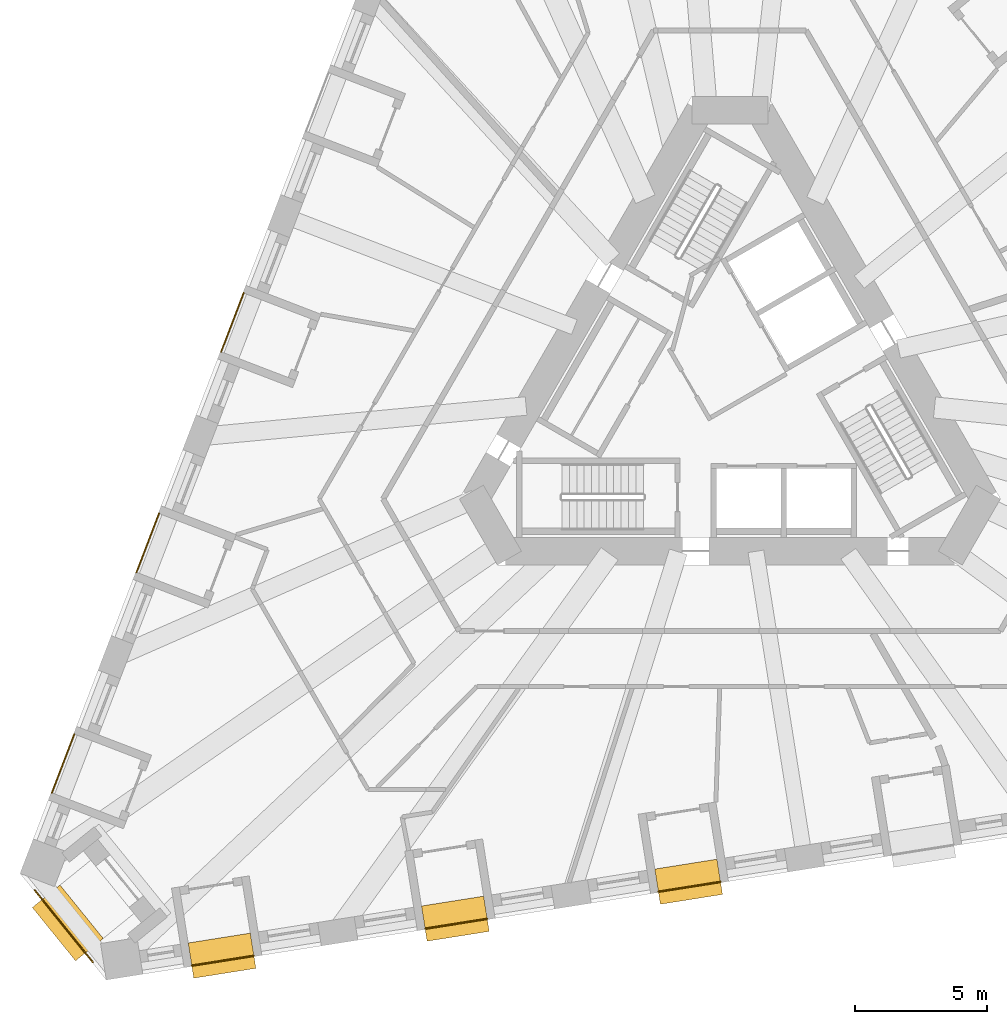
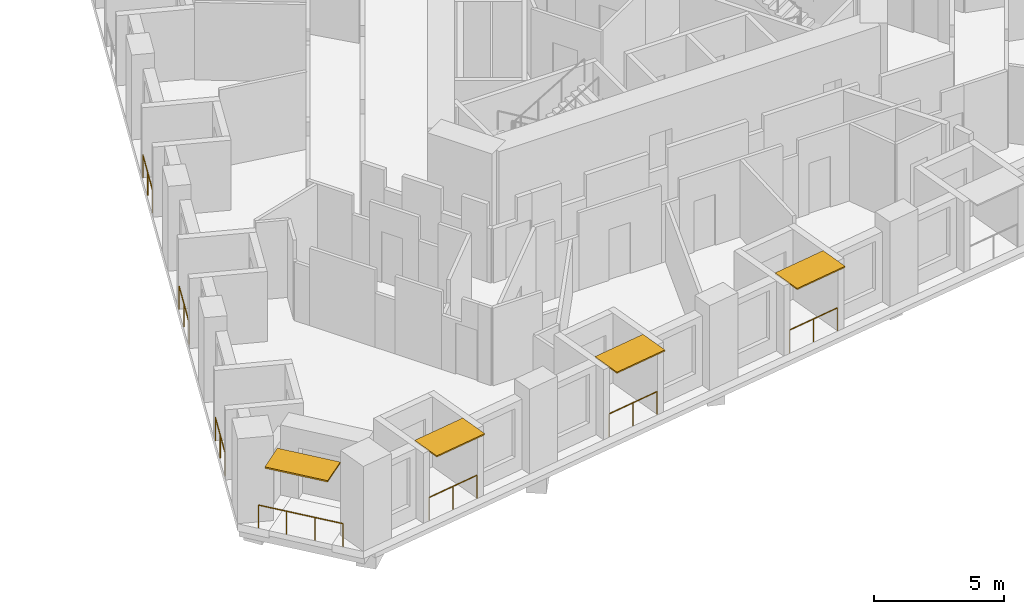
# One storey, part 11 of 14: 7 railings, 4 shading devices.
"""IFC4 building model written with IfcOpenShell, lengths in metres."""

from ifc_helpers import new_model, si_unit, direction, frame, origin, origin_2d, place, context, subcontext, project, spatial, rectangle, circle, extrude, material, layer, layer_set, type_object, element, save


model = new_model("IFC4")

# Units and contexts
model_context = context("Model", 3, precision=1e-05, world=origin(), true_north=direction((0.0, 1.0)))
body_context = subcontext(model_context, "Body", "Model", "MODEL_VIEW")
ifc_project = project(units=[si_unit("LENGTHUNIT", "METRE"), si_unit("AREAUNIT", "SQUARE_METRE"), si_unit("VOLUMEUNIT", "CUBIC_METRE"), si_unit("PLANEANGLEUNIT", "RADIAN"), si_unit("MASSUNIT", "GRAM", prefix="KILO")], contexts=[model_context])

# Site, building, storey
site_placement = place(None, origin())
site = spatial("IfcSite", under=ifc_project, at=site_placement, CompositionType="ELEMENT")
building_placement = place(site_placement, origin())
building = spatial("IfcBuilding", under=site, at=building_placement, Name="Tramontana Tower", CompositionType="ELEMENT")
storey_placement = place(building_placement, frame((0.0, 0.0, 79.199951171875)))
storey = spatial("IfcBuildingStorey", under=building, at=storey_placement, Name="L17", CompositionType="ELEMENT", Elevation=79.199951171875)

# Railings
ifc_material_1 = material(Name="Laminated glass balustrade", Category="glass")
railing_type = type_object("IfcRailingType", Name="GD1 Loggia glass balustrade 1100", PredefinedType="BALUSTRADE", material=ifc_material_1)
for number, where, name in (
    (1, (-18.419677734375, 3.55419921875, 0.0), "Loggia balustrade L17 G1S0.10"),
    (2, (-21.626708984375, -4.80029296875, 0.0), "Loggia balustrade L17 G1S0.13"),
):
    element("IfcRailing", number, at=place(storey_placement, frame(where)), inside=storey, type_object=railing_type, Name=name, PredefinedType="BALUSTRADE", context=body_context, shape_type="SweptSolid", body=[
        extrude(circle(Radius=0.02392578125, at=origin_2d()), frame((0.0, 0.0, 1.076171875), z_axis=(-0.358354292693, -0.933585668757, 0.0), x_axis=(0.933585668757, -0.358354292693, 0.0)), (0.0, 0.0, 1.0), 2.383056640625),
        extrude(circle(Radius=0.02099609375, at=origin_2d()), origin(), (0.0, 0.0, 1.0), 1.052001953125),
        extrude(circle(Radius=0.02099609375, at=origin_2d()), frame((-0.427001953125, -1.1123046875, 0.0)), (0.0, 0.0, 1.0), 1.052001953125),
        extrude(circle(Radius=0.02099609375, at=origin_2d()), frame((-0.85400390625, -2.224853515625, 0.0)), (0.0, 0.0, 1.0), 1.052001953125),
    ])
railing_1_placement = place(storey_placement, frame((-24.833740234375, -13.155029296875, 0.0)))
element("IfcRailing", 3, at=railing_1_placement, inside=storey, type_object=railing_type, Name="Loggia balustrade L17 G1S0.16", PredefinedType="BALUSTRADE", context=body_context, shape_type="SweptSolid", body=[
    extrude(circle(Radius=0.02392578125, at=origin_2d()), frame((0.0, 0.0, 1.076171875), z_axis=(-0.35838856932, -0.933572511046, 0.0), x_axis=(0.933572511046, -0.35838856932, 0.0)), (0.0, 0.0, 1.0), 2.3828125),
    extrude(circle(Radius=0.02099609375, at=origin_2d()), origin(), (0.0, 0.0, 1.0), 1.052001953125),
    extrude(circle(Radius=0.02099609375, at=origin_2d()), frame((-0.427001953125, -1.1123046875, 0.0)), (0.0, 0.0, 1.0), 1.052001953125),
    extrude(circle(Radius=0.02099609375, at=origin_2d()), frame((-0.85400390625, -2.224609375, 0.0)), (0.0, 0.0, 1.0), 1.052001953125),
])
railing_2_placement = place(storey_placement, frame((-20.38427734375, -21.9287109375, 0.0)))
element("IfcRailing", 4, at=railing_2_placement, inside=storey, type_object=railing_type, Name="Loggia balustrade L17 G1S1.1", PredefinedType="BALUSTRADE", context=body_context, shape_type="SweptSolid", body=[
    extrude(circle(Radius=0.02392578125, at=origin_2d()), frame((0.0, 0.0, 1.076171875), z_axis=(0.987685586014, 0.156451855793, 0.0), x_axis=(-0.156451855793, 0.987685586014, 0.0)), (0.0, 0.0, 1.0), 2.3828125),
    extrude(circle(Radius=0.02099609375, at=origin_2d()), origin(), (0.0, 0.0, 1.0), 1.052001953125),
    extrude(circle(Radius=0.02099609375, at=origin_2d()), frame((1.1767578125, 0.1865234375, 0.0)), (0.0, 0.0, 1.0), 1.052001953125),
    extrude(circle(Radius=0.02099609375, at=origin_2d()), frame((2.353515625, 0.372802734375, 0.0)), (0.0, 0.0, 1.0), 1.052001953125),
])
railing_3_placement = place(storey_placement, frame((-11.545654296875, -20.52880859375, 0.0)))
element("IfcRailing", 5, at=railing_3_placement, inside=storey, type_object=railing_type, Name="Loggia balustrade L17 G1S1.4", PredefinedType="BALUSTRADE", context=body_context, shape_type="SweptSolid", body=[
    extrude(circle(Radius=0.02392578125, at=origin_2d()), frame((0.0, 0.0, 1.076171875), z_axis=(0.987688093492, 0.15643602518, 0.0), x_axis=(-0.15643602518, 0.987688093492, 0.0)), (0.0, 0.0, 1.0), 2.383056640625),
    extrude(circle(Radius=0.02099609375, at=origin_2d()), origin(), (0.0, 0.0, 1.0), 1.052001953125),
    extrude(circle(Radius=0.02099609375, at=origin_2d()), frame((1.1767578125, 0.1865234375, 0.0)), (0.0, 0.0, 1.0), 1.052001953125),
    extrude(circle(Radius=0.02099609375, at=origin_2d()), frame((2.353759765625, 0.372802734375, 0.0)), (0.0, 0.0, 1.0), 1.052001953125),
])
railing_4_placement = place(storey_placement, frame((-2.706787109375, -19.12890625, 0.0)))
element("IfcRailing", 6, at=railing_4_placement, inside=storey, type_object=railing_type, Name="Loggia balustrade L17 G1S1.7", PredefinedType="BALUSTRADE", context=body_context, shape_type="SweptSolid", body=[
    extrude(circle(Radius=0.02392578125, at=origin_2d()), frame((0.0, 0.0, 1.076171875), z_axis=(0.987685586014, 0.156451855793, 0.0), x_axis=(-0.156451855793, 0.987685586014, 0.0)), (0.0, 0.0, 1.0), 2.3828125),
    extrude(circle(Radius=0.02099609375, at=origin_2d()), origin(), (0.0, 0.0, 1.0), 1.052001953125),
    extrude(circle(Radius=0.02099609375, at=origin_2d()), frame((1.1767578125, 0.1865234375, 0.0)), (0.0, 0.0, 1.0), 1.052001953125),
    extrude(circle(Radius=0.02099609375, at=origin_2d()), frame((2.353515625, 0.372802734375, 0.0)), (0.0, 0.0, 1.0), 1.052001953125),
])
railing_5_placement = place(storey_placement, frame((-24.132568359375, -21.7939453125, 0.0)))
element("IfcRailing", 7, at=railing_5_placement, inside=storey, type_object=railing_type, Name="Corner loggia balustrade L17 K11", PredefinedType="BALUSTRADE", context=body_context, shape_type="SweptSolid", body=[
    extrude(circle(Radius=0.02392578125, at=origin_2d()), frame((0.0, 0.0, 1.076171875), z_axis=(-0.629328651904, 0.777139271876, 0.0), x_axis=(-0.777139271876, -0.629328651904, 0.0)), (0.0, 0.0, 1.0), 3.5),
    extrude(circle(Radius=0.02099609375, at=origin_2d()), origin(), (0.0, 0.0, 1.0), 1.052001953125),
    extrude(circle(Radius=0.02099609375, at=origin_2d()), frame((-0.734130859375, 0.90673828125, 0.0)), (0.0, 0.0, 1.0), 1.052001953125),
    extrude(circle(Radius=0.02099609375, at=origin_2d()), frame((-1.468505859375, 1.813232421875, 0.0)), (0.0, 0.0, 1.0), 1.052001953125),
    extrude(circle(Radius=0.02099609375, at=origin_2d()), frame((-2.20263671875, 2.719970703125, 0.0)), (0.0, 0.0, 1.0), 1.052001953125),
])

# Shading devices
ifc_material_2 = material(Name="Precast concrete 60 MPa", Category="concrete")
ifc_layer_1 = layer(ifc_material_2, 0.06005859375)
ifc_layer_set_1 = layer_set([ifc_layer_1], Name="SS1 Stone sunshade blade 60")
shading_device_type_1 = type_object("IfcShadingDeviceType", Name="SS1 Stone sunshade blade 60", PredefinedType="USERDEFINED", material=ifc_layer_set_1)
for number, where, z_axis, x_axis, name in (
    (8, (-19.238037109375, -21.5498046875, 3.239990234375), (0.0, 0.0, 1.0), (0.987688340595, 0.15643446504, 0.0), "Sunshade L17 G1S1.1"),
    (9, (-10.399169921875, -20.14990234375, 3.239990234375), (0.0, 0.0, 1.0), (0.987688340595, 0.15643446504, 0.0), "Sunshade L17 G1S1.4"),
    (10, (-1.560546875, -18.75, 3.239990234375), (0.0, 0.0, 1.0), (0.987688340595, 0.15643446504, 0.0), "Sunshade L17 G1S1.7"),
):
    element("IfcShadingDevice", number, at=place(storey_placement, frame(where, z_axis=z_axis, x_axis=x_axis)), inside=storey, type_object=shading_device_type_1, Name=name, ObjectType="SUNSHADE", PredefinedType="USERDEFINED", context=body_context, shape_type="SweptSolid", body=[
        extrude(rectangle(XDim=2.383056640625, YDim=1.35009765625, at=origin_2d()), origin(), (0.0, 0.0, 1.0), 0.06005859375),
    ])
ifc_material_3 = material(Name="Precast concrete 60 MPa", Category="concrete")
ifc_layer_2 = layer(ifc_material_3, 0.070068359375)
ifc_layer_set_2 = layer_set([ifc_layer_2], Name="SS2 Stone sunshade blade 70")
shading_device_type_2 = type_object("IfcShadingDeviceType", Name="SS2 Stone sunshade blade 70", PredefinedType="USERDEFINED", material=ifc_layer_set_2)
shading_device_placement = place(storey_placement, frame((-25.082275390625, -20.311279296875, 3.22998046875), z_axis=(0.0, 0.0, 1.0), x_axis=(-0.62932039105, 0.777145961457, 0.0)))
element("IfcShadingDevice", 11, at=shading_device_placement, inside=storey, type_object=shading_device_type_2, Name="Corner sunshade L17 K11", ObjectType="SUNSHADE", PredefinedType="USERDEFINED", context=body_context, shape_type="SweptSolid", body=[
    extrude(rectangle(XDim=2.60009765625, YDim=1.35009765625, at=origin_2d()), origin(), (0.0, 0.0, 1.0), 0.070068359375),
])

save(model, "model.ifc")
